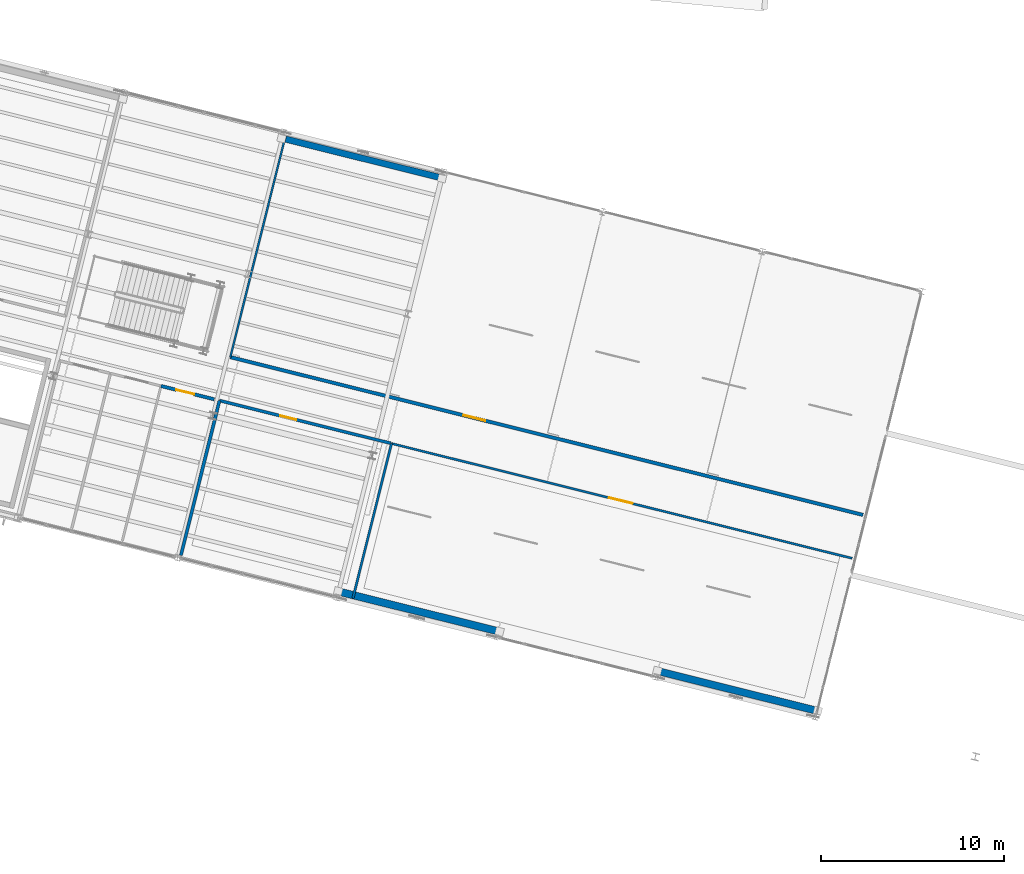
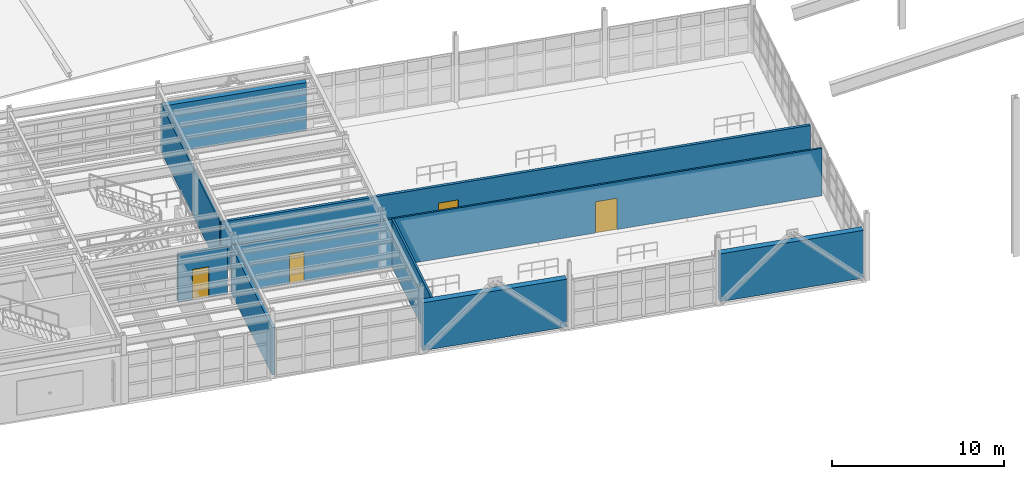
# One storey, part 47 of 59: 10 walls, 4 doors, 4 openings.
"""IFC4 building model written with IfcOpenShell, lengths in metres."""

from ifc_helpers import new_model, si_unit, direction, frame, frame_2d, origin, origin_with_axes, place, context, subcontext, project, spatial, rectangle, extrude, material, layer, layer_set, type_object, element, fill, save


model = new_model("IFC4")

# Units and contexts
model_context = context("Model", 3, precision=1e-05, world=origin(), true_north=direction((0.0, 1.0)))
body_context = subcontext(model_context, "Body", "Model", "MODEL_VIEW")
ifc_project = project(units=[si_unit("LENGTHUNIT", "METRE"), si_unit("AREAUNIT", "SQUARE_METRE"), si_unit("VOLUMEUNIT", "CUBIC_METRE"), si_unit("PLANEANGLEUNIT", "RADIAN"), si_unit("MASSUNIT", "GRAM", prefix="KILO")], contexts=[model_context])

# Site, building, storey
site_placement = place(None, origin())
site = spatial("IfcSite", under=ifc_project, at=site_placement, CompositionType="ELEMENT")
building_placement = place(site_placement, origin())
building = spatial("IfcBuilding", under=site, at=building_placement, Name="Vireo Bluff Cable Station", CompositionType="ELEMENT")
storey_placement = place(building_placement, frame((0.0, 0.0, 14.39990234375)))
storey = spatial("IfcBuildingStorey", under=building, at=storey_placement, Name="L03", CompositionType="ELEMENT", Elevation=14.39990234375)

# Walls
ifc_material_1 = material(Name="Precast concrete f'c 45 MPa", Category="concrete")
ifc_layer_1 = layer(ifc_material_1, 0.35009765625, Name="Precast concrete f'c 45 MPa")
ifc_layer_set_1 = layer_set([ifc_layer_1], Name="Precast concrete f'c 45 MPa")
wall_type_1 = type_object("IfcWallType", Name="EW-PRECAST-350", PredefinedType="SOLIDWALL", material=ifc_layer_set_1)
wall_1_placement = place(storey_placement, frame((77.339111328125, 56.565185546875, 0.0), z_axis=(0.0, 0.0, 1.0), x_axis=(0.970295980449, -0.241920876165, 0.0)))
element("IfcWall", 1, at=wall_1_placement, inside=storey, type_object=wall_type_1, Name="V1 L03 north exterior wall 22", PredefinedType="SOLIDWALL", context=body_context, shape_type="SweptSolid", body=[
    extrude(rectangle(XDim=8.69091796875, YDim=0.35009765625, at=frame_2d((4.345458984375, 0.0))), origin(), (0.0, 0.0, 1.0), 3.400146484375),
])
ifc_layer_2 = layer(ifc_material_1, 0.39990234375, Name="Precast concrete f'c 45 MPa")
ifc_layer_set_2 = layer_set([ifc_layer_2], Name="Precast concrete f'c 45 MPa")
wall_type_2 = type_object("IfcWallType", Name="EW-PRECAST-400", PredefinedType="SOLIDWALL", material=ifc_layer_set_2)
wall_2_placement = place(storey_placement, frame((106.327392578125, 25.3037109375, 0.0), z_axis=(0.0, 0.0, 1.0), x_axis=(-0.970296015965, 0.241920733717, 0.0)))
element("IfcWall", 2, at=wall_2_placement, inside=storey, type_object=wall_type_2, Name="V1 L03 south exterior wall 17", PredefinedType="SOLIDWALL", context=body_context, shape_type="SweptSolid", body=[
    extrude(rectangle(XDim=8.68896484375, YDim=0.39990234375, at=frame_2d((4.344482421875, 0.0))), origin(), (0.0, 0.0, 1.0), 3.400146484375),
])
ifc_layer_3 = layer(ifc_material_1, 0.409912109375, Name="Precast concrete f'c 45 MPa")
ifc_layer_set_3 = layer_set([ifc_layer_3], Name="Precast concrete f'c 45 MPa")
wall_type_3 = type_object("IfcWallType", Name="EW-PRECAST-410", PredefinedType="SOLIDWALL", material=ifc_layer_set_3)
wall_3_placement = place(storey_placement, frame((88.912109375, 29.645751953125, 0.0), z_axis=(0.0, 0.0, 1.0), x_axis=(-0.970290193352, 0.241944085866, 0.0)))
element("IfcWall", 3, at=wall_3_placement, inside=storey, type_object=wall_type_3, Name="V1 L03 south exterior wall 18", PredefinedType="SOLIDWALL", context=body_context, shape_type="SweptSolid", body=[
    extrude(rectangle(XDim=8.74072265625, YDim=0.409912109375, at=frame_2d((4.370361328125, 0.0))), origin(), (0.0, 0.0, 1.0), 3.400146484375),
])
ifc_material_2 = material(Name="Fire-Rated Gypsum Board Partition")
ifc_layer_4 = layer(ifc_material_2, 0.110107421875, Name="Fire-Rated Gypsum Board Partition")
ifc_layer_set_4 = layer_set([ifc_layer_4], Name="Fire-Rated Gypsum Board Partition")
wall_type_4 = type_object("IfcWallType", Name="PT-1HR-110", PredefinedType="PARTITIONING", material=ifc_layer_set_4)
wall_4_placement = place(storey_placement, frame((74.356689453125, 44.6220703125, 0.0), z_axis=(0.0, 0.0, 1.0), x_axis=(0.241932585048, 0.970293061035, 0.0)))
element("IfcWall", 4, at=wall_4_placement, inside=storey, type_object=wall_type_4, Name="V1 L03 Carrier Turnaround Guideway Hall W partition", PredefinedType="PARTITIONING", context=body_context, shape_type="SweptSolid", body=[
    extrude(rectangle(XDim=12.47998046875, YDim=0.110107421875, at=frame_2d((6.239990234375, 0.0))), origin(), (0.0, 0.0, 1.0), 3.380126953125),
])

# Wall, opening, door
ifc_layer_5 = layer(ifc_material_2, 0.1201171875, Name="Fire-Rated Gypsum Board Partition")
ifc_layer_set_5 = layer_set([ifc_layer_5], Name="Fire-Rated Gypsum Board Partition")
wall_type_5 = type_object("IfcWallType", Name="PT-1HR-120", PredefinedType="PARTITIONING", material=ifc_layer_set_5)
wall_5_placement = place(storey_placement, frame((83.17578125, 39.898193359375, 0.0), z_axis=(0.0, 0.0, 1.0), x_axis=(0.970295426889, -0.241923096373, 0.0)))
wall_5 = element("IfcWall", 5, at=wall_5_placement, inside=storey, type_object=wall_type_5, Name="V1 L03 Boarding Hall N partition", PredefinedType="PARTITIONING", context=body_context, shape_type="SweptSolid", body=[
    extrude(rectangle(XDim=25.97998046875, YDim=0.1201171875, at=frame_2d((12.989990234375, 0.0))), origin(), (0.0, 0.0, 1.0), 3.380126953125),
])
opening_1_placement = place(wall_5_placement, frame((12.264892578125, 0.0, 0.0)))
opening_1 = element("IfcOpeningElement", 6, at=opening_1_placement, cuts=wall_5, Name="Opening D-0049", PredefinedType="OPENING", context=body_context, shape_type="SweptSolid", body=[
    extrude(rectangle(XDim=1.320068359375, YDim=2.219970703125, at=frame_2d((0.66015625, 1.10986328125))), frame((0.0, 0.070068359375, 0.0), z_axis=(0.0, -1.0, 0.0), x_axis=(1.0, 0.0, 0.0)), (0.0, 0.0, 1.0), 0.14013671875),
])
ifc_material_3 = material(Name="Anodized Aluminium 6063-T6", Category="aluminium")
door_type_1 = type_object("IfcDoorType", Name="IDOOR60-1320X2220", OperationType="NOTDEFINED", PredefinedType="DOOR", material=ifc_material_3)
door_1_placement = place(opening_1_placement, origin_with_axes())
door_1 = element("IfcDoor", 7, at=door_1_placement, inside=storey, type_object=door_type_1, Name="V1 L03 Boarding Hall door D-0049", OperationType="SINGLE_SWING_RIGHT", OverallHeight=2.219970703125, OverallWidth=1.320068359375, PredefinedType="DOOR", context=body_context, shape_type="SweptSolid", body=[
    extrude(rectangle(XDim=1.320068359375, YDim=2.219970703125, at=frame_2d((0.66015625, 1.10986328125))), frame((0.0, 0.02490234375, 0.0), z_axis=(0.0, -1.0, 0.0), x_axis=(1.0, 0.0, 0.0)), (0.0, 0.0, 1.0), 0.050048828125),
])
fill(opening_1, door_1)

# Wall
ifc_layer_6 = layer(ifc_material_2, 0.1298828125, Name="Fire-Rated Gypsum Board Partition")
ifc_layer_set_6 = layer_set([ifc_layer_6], Name="Fire-Rated Gypsum Board Partition")
wall_type_6 = type_object("IfcWallType", Name="PT-1HR-130", PredefinedType="PARTITIONING", material=ifc_layer_set_6)
wall_6_placement = place(storey_placement, frame((81.06396484375, 31.427490234375, 0.0), z_axis=(0.0, 0.0, 1.0), x_axis=(0.241903876317, 0.97030021881, 0.0)))
element("IfcWall", 8, at=wall_6_placement, inside=storey, type_object=wall_type_6, Name="V1 L03 Boarding Hall W partition", PredefinedType="PARTITIONING", context=body_context, shape_type="SweptSolid", body=[
    extrude(rectangle(XDim=8.72998046875, YDim=0.1298828125, at=frame_2d((4.364990234375, 0.0))), origin(), (0.0, 0.0, 1.0), 3.380126953125),
])

# Wall, opening, door
ifc_layer_7 = layer(ifc_material_2, 0.1650390625, Name="Fire-Rated Gypsum Board Partition")
ifc_layer_set_7 = layer_set([ifc_layer_7], Name="Fire-Rated Gypsum Board Partition")
wall_type_7 = type_object("IfcWallType", Name="PT-1HR-165", PredefinedType="PARTITIONING", material=ifc_layer_set_7)
wall_7_placement = place(storey_placement, frame((73.763916015625, 42.24462890625, 0.0), z_axis=(0.0, 0.0, 1.0), x_axis=(0.970298558295, -0.241910536709, 0.0)))
wall_7 = element("IfcWall", 9, at=wall_7_placement, inside=storey, type_object=wall_type_7, Name="V1 L03 Platform Safety and Control Office N partition", PredefinedType="PARTITIONING", context=body_context, shape_type="SweptSolid", body=[
    extrude(rectangle(XDim=9.650146484375, YDim=0.1650390625, at=frame_2d((4.8251953125, 0.0))), origin(), (0.0, 0.0, 1.0), 3.380126953125),
])
opening_2_placement = place(wall_7_placement, frame((3.43310546875, 0.0, 0.0)))
opening_2 = element("IfcOpeningElement", 10, at=opening_2_placement, cuts=wall_7, Name="Opening D-0051", PredefinedType="OPENING", context=body_context, shape_type="SweptSolid", body=[
    extrude(rectangle(XDim=0.89990234375, YDim=2.10009765625, at=frame_2d((0.449951171875, 1.050048828125))), frame((0.0, 0.092529296875, 0.0), z_axis=(0.0, -1.0, 0.0), x_axis=(1.0, 0.0, 0.0)), (0.0, 0.0, 1.0), 0.18505859375),
])
door_type_2 = type_object("IfcDoorType", Name="IDOOR60-900X2100", OperationType="NOTDEFINED", PredefinedType="DOOR", material=ifc_material_3)
door_2_placement = place(opening_2_placement, origin_with_axes())
door_2 = element("IfcDoor", 11, at=door_2_placement, inside=storey, type_object=door_type_2, Name="V1 L03 Platform Safety and Control Office door D-0051", OperationType="SINGLE_SWING_RIGHT", OverallHeight=2.10009765625, OverallWidth=0.89990234375, PredefinedType="DOOR", context=body_context, shape_type="SweptSolid", body=[
    extrude(rectangle(XDim=0.89990234375, YDim=2.10009765625, at=frame_2d((0.449951171875, 1.050048828125))), frame((0.0, 0.02490234375, 0.0), z_axis=(0.0, -1.0, 0.0), x_axis=(1.0, 0.0, 0.0)), (0.0, 0.0, 1.0), 0.050048828125),
])
fill(opening_2, door_2)

# Wall
ifc_layer_8 = layer(ifc_material_2, 0.175048828125, Name="Fire-Rated Gypsum Board Partition")
ifc_layer_set_8 = layer_set([ifc_layer_8], Name="Fire-Rated Gypsum Board Partition")
wall_type_8 = type_object("IfcWallType", Name="PT-1HR-175", PredefinedType="PARTITIONING", material=ifc_layer_set_8)
wall_8_placement = place(storey_placement, frame((71.652099609375, 33.774169921875, 0.0), z_axis=(0.0, 0.0, 1.0), x_axis=(0.241910440597, 0.970298582257, 0.0)))
element("IfcWall", 12, at=wall_8_placement, inside=storey, type_object=wall_type_8, Name="V1 L03 Platform Safety and Control Office W partition", PredefinedType="PARTITIONING", context=body_context, shape_type="SweptSolid", body=[
    extrude(rectangle(XDim=8.729736328125, YDim=0.175048828125, at=frame_2d((4.36474609375, 0.0))), origin(), (0.0, 0.0, 1.0), 3.380126953125),
])

# Wall, opening, door
ifc_layer_9 = layer(ifc_material_2, 0.18994140625, Name="Fire-Rated Gypsum Board Partition")
ifc_layer_set_9 = layer_set([ifc_layer_9], Name="Fire-Rated Gypsum Board Partition")
wall_type_9 = type_object("IfcWallType", Name="PT-1HR-190", PredefinedType="PARTITIONING", material=ifc_layer_set_9)
wall_9_placement = place(storey_placement, frame((108.976806640625, 35.990234375, 0.0), z_axis=(0.0, 0.0, 1.0), x_axis=(-0.970295257454, 0.241923775934, 0.0)))
wall_9 = element("IfcWall", 13, at=wall_9_placement, inside=storey, type_object=wall_type_9, Name="V1 L03 Carrier Turnaround Guideway Hall S partition", PredefinedType="PARTITIONING", context=body_context, shape_type="SweptSolid", body=[
    extrude(rectangle(XDim=35.679931640625, YDim=0.18994140625, at=frame_2d((17.83984375, 0.0))), origin(), (0.0, 0.0, 1.0), 3.380126953125),
])
opening_3_placement = place(wall_9_placement, frame((21.306640625, 0.0, 0.0)))
opening_3 = element("IfcOpeningElement", 14, at=opening_3_placement, cuts=wall_9, Name="Opening D-0048", PredefinedType="OPENING", context=body_context, shape_type="SweptSolid", body=[
    extrude(rectangle(XDim=1.219970703125, YDim=2.199951171875, at=frame_2d((0.60986328125, 1.10009765625))), frame((0.0, 0.10498046875, 0.0), z_axis=(0.0, -1.0, 0.0), x_axis=(1.0, 0.0, 0.0)), (0.0, 0.0, 1.0), 0.2099609375),
])
door_type_3 = type_object("IfcDoorType", Name="IDOOR60-1220X2200", OperationType="NOTDEFINED", PredefinedType="DOOR", material=ifc_material_3)
door_3_placement = place(opening_3_placement, origin_with_axes())
door_3 = element("IfcDoor", 15, at=door_3_placement, inside=storey, type_object=door_type_3, Name="V1 L03 Carrier Turnaround Guideway Hall door D-0048", OperationType="SINGLE_SWING_LEFT", OverallHeight=2.199951171875, OverallWidth=1.219970703125, PredefinedType="DOOR", context=body_context, shape_type="SweptSolid", body=[
    extrude(rectangle(XDim=1.219970703125, YDim=2.199951171875, at=frame_2d((0.60986328125, 1.10009765625))), frame((0.0, 0.02490234375, 0.0), z_axis=(0.0, -1.0, 0.0), x_axis=(1.0, 0.0, 0.0)), (0.0, 0.0, 1.0), 0.050048828125),
])
fill(opening_3, door_3)

wall_10_placement = place(storey_placement, frame((70.56201171875, 43.043212890625, 0.0), z_axis=(0.0, 0.0, 1.0), x_axis=(0.970290716908, -0.241941986192, 0.0)))
wall_10 = element("IfcWall", 16, at=wall_10_placement, inside=storey, type_object=wall_type_9, Name="V1 L03 Accessible WC L03 N partition", PredefinedType="PARTITIONING", context=body_context, shape_type="SweptSolid", body=[
    extrude(rectangle(XDim=3.0, YDim=0.18994140625, at=frame_2d((1.5, 0.0))), origin(), (0.0, 0.0, 1.0), 3.380126953125),
])
opening_4_placement = place(wall_10_placement, frame((0.867919921875, 0.0, 0.0)))
opening_4 = element("IfcOpeningElement", 17, at=opening_4_placement, cuts=wall_10, Name="Opening D-0052", PredefinedType="OPENING", context=body_context, shape_type="SweptSolid", body=[
    extrude(rectangle(XDim=1.0, YDim=2.14990234375, at=frame_2d((0.5, 1.074951171875))), frame((0.0, 0.10498046875, 0.0), z_axis=(0.0, -1.0, 0.0), x_axis=(1.0, 0.0, 0.0)), (0.0, 0.0, 1.0), 0.2099609375),
])
door_type_4 = type_object("IfcDoorType", Name="IDOOR60-1000X2150", OperationType="NOTDEFINED", PredefinedType="DOOR", material=ifc_material_3)
door_4_placement = place(opening_4_placement, origin_with_axes())
door_4 = element("IfcDoor", 18, at=door_4_placement, inside=storey, type_object=door_type_4, Name="V1 L03 Accessible WC L03 door D-0052", OperationType="SINGLE_SWING_LEFT", OverallHeight=2.14990234375, OverallWidth=1.0, PredefinedType="DOOR", context=body_context, shape_type="SweptSolid", body=[
    extrude(rectangle(XDim=1.0, YDim=2.14990234375, at=frame_2d((0.5, 1.074951171875))), frame((0.0, 0.02490234375, 0.0), z_axis=(0.0, -1.0, 0.0), x_axis=(1.0, 0.0, 0.0)), (0.0, 0.0, 1.0), 0.050048828125),
])
fill(opening_4, door_4)

save(model, "model.ifc")
